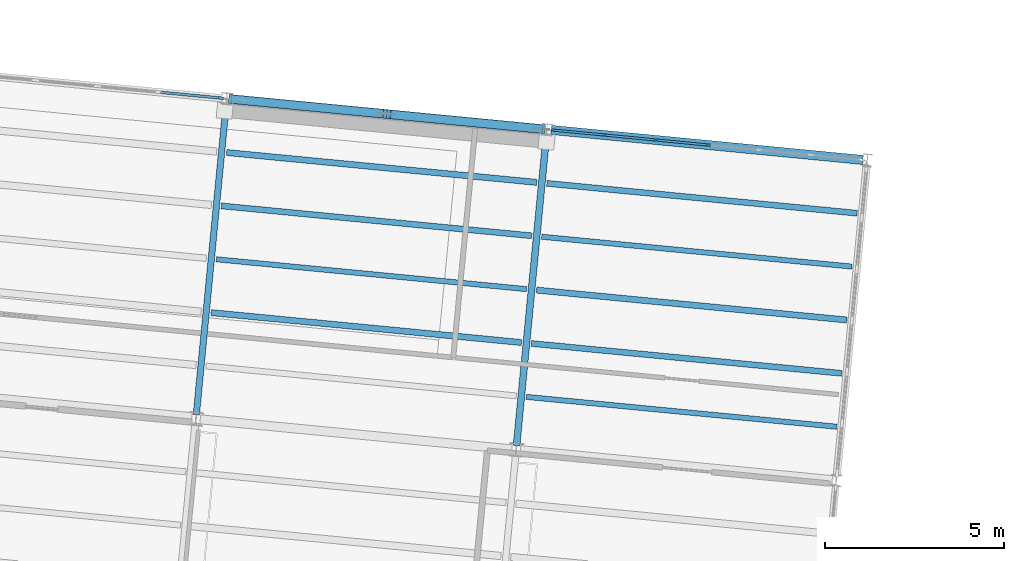
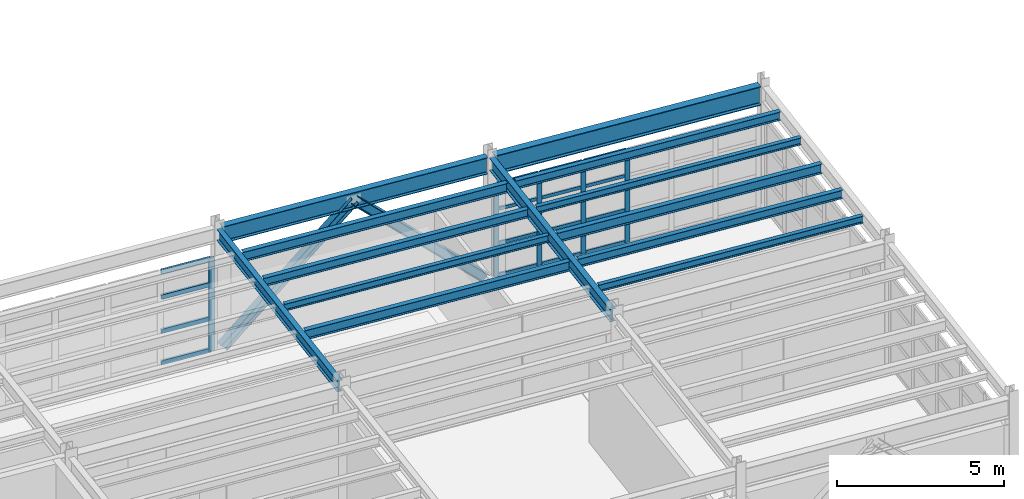
# One storey, part 47 of 102: 23 members, 13 beams, 2 elements without a shape of their own.
"""IFC4 building model written with IfcOpenShell, lengths in metres."""

from ifc_helpers import new_model, si_unit, direction, frame, origin, origin_2d, place, context, subcontext, project, spatial, rectangle, i_section, extrude, material, layer, layer_set, material_profile, profile_set, type_object, element, aggregate, save


model = new_model("IFC4")

# Units and contexts
model_context = context("Model", 3, precision=1e-05, world=origin(), true_north=direction((0.0, 1.0)))
body_context = subcontext(model_context, "Body", "Model", "MODEL_VIEW")
ifc_project = project(units=[si_unit("LENGTHUNIT", "METRE"), si_unit("AREAUNIT", "SQUARE_METRE"), si_unit("VOLUMEUNIT", "CUBIC_METRE"), si_unit("PLANEANGLEUNIT", "RADIAN"), si_unit("MASSUNIT", "GRAM", prefix="KILO")], contexts=[model_context])

# Site, building, storey
site_placement = place(None, origin())
site = spatial("IfcSite", under=ifc_project, at=site_placement, CompositionType="ELEMENT")
building_placement = place(site_placement, origin())
building = spatial("IfcBuilding", under=site, at=building_placement, Name="Vireo Bluff Cable Station", CompositionType="ELEMENT")
storey_placement = place(building_placement, frame((0.0, 0.0, 9.60009765625)))
storey = spatial("IfcBuildingStorey", under=building, at=storey_placement, Name="L02", CompositionType="ELEMENT", Elevation=9.60009765625)

# Beams
ifc_material_1 = material(Name="Steel ASTM A992 Gr. 50", Category="steel")
ifc_material_profile_1 = material_profile(ifc_material_1, i_section(OverallWidth=0.178955078125, OverallDepth=0.408935546875, WebThickness=0.0087890625, FlangeThickness=0.014404296875, FilletRadius=0.010009765625, at=origin_2d()), Name="W16X45")
ifc_profile_set_1 = profile_set([ifc_material_profile_1], Name="Steel ASTM A992 Gr. 50")
beam_type_1 = type_object("IfcBeamType", Name="BM-W16X45", PredefinedType="BEAM", material=ifc_profile_set_1)
beam_1_placement = place(storey_placement, frame((86.529296875, 74.356689453125, 4.29541015625), z_axis=(0.095844105487, 0.995396356957, 0.0), x_axis=(-0.995396356957, 0.095844105487, 0.0)))
element("IfcBeam", 1, at=beam_1_placement, inside=storey, type_object=beam_type_1, Name="V3 L02 beam 729", PredefinedType="BEAM", context=body_context, shape_type="SweptSolid", body=[
    extrude(i_section(OverallWidth=0.178955078125, OverallDepth=0.408935546875, WebThickness=0.0087890625, FlangeThickness=0.014404296875, FilletRadius=0.010009765625, at=origin_2d()), origin(), (0.0, 0.0, 1.0), 8.760009765625),
])
ifc_material_profile_2 = material_profile(ifc_material_1, i_section(OverallWidth=0.19091796875, OverallDepth=0.45703125, WebThickness=0.009033203125, FlangeThickness=0.014404296875, FilletRadius=0.011962890625, at=origin_2d()), Name="W18X50")
ifc_profile_set_2 = profile_set([ifc_material_profile_2], Name="Steel ASTM A992 Gr. 50")
beam_type_2 = type_object("IfcBeamType", Name="BM-W18X50", PredefinedType="BEAM", material=ifc_profile_set_2)
beam_2_placement = place(storey_placement, frame((95.48779296875, 73.494140625, 4.271484375), z_axis=(0.095846764416, 0.995396100932, 0.0), x_axis=(-0.995396100932, 0.095846764416, 0.0)))
element("IfcBeam", 2, at=beam_2_placement, inside=storey, type_object=beam_type_2, Name="V3 L02 beam 731", PredefinedType="BEAM", context=body_context, shape_type="SweptSolid", body=[
    extrude(i_section(OverallWidth=0.19091796875, OverallDepth=0.45703125, WebThickness=0.009033203125, FlangeThickness=0.014404296875, FilletRadius=0.011962890625, at=origin_2d()), origin(), (0.0, 0.0, 1.0), 8.759765625),
])

# Members
ifc_material_profile_3 = material_profile(ifc_material_1, i_section(OverallWidth=0.25390625, OverallDepth=0.305908203125, WebThickness=0.0087890625, FlangeThickness=0.0146484375, FilletRadius=0.010986328125, at=origin_2d()), Name="W12X53")
ifc_profile_set_3 = profile_set([ifc_material_profile_3], Name="Steel ASTM A992 Gr. 50")
member_type_1 = type_object("IfcMemberType", Name="BRC-04", PredefinedType="BRACE", material=ifc_profile_set_3)
member_1_placement = place(storey_placement, frame((87.539794921875, 83.180419921875, 0.039794921875), z_axis=(0.720224003124, -0.06936033126, 0.690265550185), x_axis=(0.095860332855, 0.995394794333, 0.0)))
element("IfcMember", 3, at=member_1_placement, inside=storey, type_object=member_type_1, Name="V3 L02 concentric brace 57L", PredefinedType="BRACE", context=body_context, shape_type="SweptSolid", body=[
    extrude(i_section(OverallWidth=0.25390625, OverallDepth=0.305908203125, WebThickness=0.0087890625, FlangeThickness=0.0146484375, FilletRadius=0.010986328125, at=origin_2d()), origin(), (0.0, 0.0, 1.0), 5.997802734375),
])
ifc_material_profile_4 = material_profile(ifc_material_1, i_section(OverallWidth=0.25390625, OverallDepth=0.31005859375, WebThickness=0.009033203125, FlangeThickness=0.016357421875, FilletRadius=0.010986328125, at=origin_2d()), Name="W12X58")
ifc_profile_set_4 = profile_set([ifc_material_profile_4], Name="Steel ASTM A992 Gr. 50")
member_type_2 = type_object("IfcMemberType", Name="BRC-05", PredefinedType="BRACE", material=ifc_profile_set_4)
member_2_placement = place(storey_placement, frame((96.1796875, 82.348388671875, 0.039794921875), z_axis=(-0.720243592379, 0.069358297904, 0.690245314471), x_axis=(-0.095854965264, -0.995395311238, 0.0)))
element("IfcMember", 4, at=member_2_placement, inside=storey, type_object=member_type_2, Name="V3 L02 concentric brace 58R", PredefinedType="BRACE", context=body_context, shape_type="SweptSolid", body=[
    extrude(i_section(OverallWidth=0.25390625, OverallDepth=0.31005859375, WebThickness=0.009033203125, FlangeThickness=0.016357421875, FilletRadius=0.010986328125, at=origin_2d()), origin(), (0.0, 0.0, 1.0), 5.998046875),
])

# Curtain wall, member
ifc_material_2 = material(Name="Anodized Aluminium 6063-T6", Category="aluminium")
ifc_layer_1 = layer(ifc_material_2, 0.179931640625, Name="Anodized Aluminium 6063-T6")
ifc_layer_set_1 = layer_set([ifc_layer_1], Name="Anodized Aluminium 6063-T6")
curtain_wall_type_1 = type_object("IfcCurtainWallType", Name="CW-UNIT-1650", PredefinedType="USERDEFINED", material=ifc_layer_set_1)
curtain_wall_1_placement = place(storey_placement, origin())
curtain_wall_1 = element("IfcCurtainWall", 5, at=curtain_wall_1_placement, inside=storey, type_object=curtain_wall_type_1, Name="V3 L02 north curtain wall CW-077", ObjectType="UNITISED CURTAIN WALL", PredefinedType="USERDEFINED")
ifc_material_profile_5 = material_profile(ifc_material_2, rectangle(XDim=0.074951171875, YDim=0.2099609375, at=origin_2d()), Name="ALU-M-75X210")
ifc_profile_set_5 = profile_set([ifc_material_profile_5], Name="Anodized Aluminium 6063-T6")
member_type_3 = type_object("IfcMemberType", Name="CWM-02", PredefinedType="MULLION", material=ifc_profile_set_5)
member_3_placement = place(storey_placement, frame((87.187255859375, 83.21435546875, 0.0), z_axis=(0.0, 0.0, 1.0), x_axis=(0.09584571119, 0.995396202347, 0.0)))
member_3 = element("IfcMember", 6, at=member_3_placement, type_object=member_type_3, Name="CW-077 mullion 6", PredefinedType="MULLION", context=body_context, shape_type="SweptSolid", body=[
    extrude(rectangle(XDim=0.074951171875, YDim=0.2099609375, at=origin_2d()), origin(), (0.0, 0.0, 1.0), 3.39990234375),
])

# Curtain wall, members
ifc_layer_2 = layer(ifc_material_2, 0.179931640625, Name="Anodized Aluminium 6063-T6")
ifc_layer_set_2 = layer_set([ifc_layer_2], Name="Anodized Aluminium 6063-T6")
curtain_wall_type_2 = type_object("IfcCurtainWallType", Name="CW-UNIT-1400", PredefinedType="USERDEFINED", material=ifc_layer_set_2)
curtain_wall_2_placement = place(storey_placement, origin())
curtain_wall_2 = element("IfcCurtainWall", 7, at=curtain_wall_2_placement, inside=storey, type_object=curtain_wall_type_2, Name="V3 L02 north curtain wall CW-078", ObjectType="UNITISED CURTAIN WALL", PredefinedType="USERDEFINED")
ifc_material_profile_6 = material_profile(ifc_material_2, rectangle(XDim=0.06005859375, YDim=0.159912109375, at=origin_2d()), Name="ALU-M-60X160")
ifc_profile_set_6 = profile_set([ifc_material_profile_6], Name="Anodized Aluminium 6063-T6")
member_type_4 = type_object("IfcMemberType", Name="CWM-03", PredefinedType="MULLION", material=ifc_profile_set_6)
member_4_placement = place(storey_placement, frame((96.526611328125, 82.315185546875, 0.0), z_axis=(0.0, 0.0, 1.0), x_axis=(0.095845743156, 0.995396199269, 0.0)))
member_4 = element("IfcMember", 8, at=member_4_placement, type_object=member_type_4, Name="CW-078 mullion 1", PredefinedType="MULLION", context=body_context, shape_type="SweptSolid", body=[
    extrude(rectangle(XDim=0.06005859375, YDim=0.159912109375, at=origin_2d()), origin(), (0.0, 0.0, 1.0), 3.39990234375),
])
member_5_placement = place(storey_placement, frame((97.942138671875, 82.1787109375, 0.0), z_axis=(0.0, 0.0, 1.0), x_axis=(0.095845743156, 0.995396199269, 0.0)))
member_5 = element("IfcMember", 9, at=member_5_placement, type_object=member_type_4, Name="CW-078 mullion 2", PredefinedType="MULLION", context=body_context, shape_type="SweptSolid", body=[
    extrude(rectangle(XDim=0.06005859375, YDim=0.159912109375, at=origin_2d()), origin(), (0.0, 0.0, 1.0), 3.39990234375),
])
member_6_placement = place(storey_placement, frame((99.3876953125, 82.03955078125, 0.0), z_axis=(0.0, 0.0, 1.0), x_axis=(0.095845743156, 0.995396199269, 0.0)))
member_6 = element("IfcMember", 10, at=member_6_placement, type_object=member_type_4, Name="CW-078 mullion 3", PredefinedType="MULLION", context=body_context, shape_type="SweptSolid", body=[
    extrude(rectangle(XDim=0.06005859375, YDim=0.159912109375, at=origin_2d()), origin(), (0.0, 0.0, 1.0), 3.39990234375),
])
member_7_placement = place(storey_placement, frame((100.8330078125, 81.900390625, 0.0), z_axis=(0.0, 0.0, 1.0), x_axis=(0.095845743156, 0.995396199269, 0.0)))
member_7 = element("IfcMember", 11, at=member_7_placement, type_object=member_type_4, Name="CW-078 mullion 4", PredefinedType="MULLION", context=body_context, shape_type="SweptSolid", body=[
    extrude(rectangle(XDim=0.06005859375, YDim=0.159912109375, at=origin_2d()), origin(), (0.0, 0.0, 1.0), 3.39990234375),
])

# Member
ifc_material_profile_7 = material_profile(ifc_material_2, rectangle(XDim=0.074951171875, YDim=0.159912109375, at=origin_2d()), Name="ALU-T-75X160")
ifc_profile_set_7 = profile_set([ifc_material_profile_7], Name="Anodized Aluminium 6063-T6")
member_type_5 = type_object("IfcMemberType", Name="CWT-02", PredefinedType="USERDEFINED", material=ifc_profile_set_7)
member_8_placement = place(storey_placement, frame((85.532958984375, 83.373779296875, 0.037353515625), z_axis=(0.995392216614, -0.095887095606, 0.0), x_axis=(0.095887095606, 0.995392216614, 0.0)))
member_8 = element("IfcMember", 12, at=member_8_placement, type_object=member_type_5, Name="CW-077 transom 5.1", ObjectType="TRANSOM", PredefinedType="USERDEFINED", context=body_context, shape_type="SweptSolid", body=[
    extrude(rectangle(XDim=0.074951171875, YDim=0.159912109375, at=origin_2d()), origin(), (0.0, 0.0, 1.0), 1.62451171875),
])

member_9_placement = place(storey_placement, frame((85.532958984375, 83.373779296875, 1.18994140625), z_axis=(0.995392216614, -0.095887095606, 0.0), x_axis=(0.095887095606, 0.995392216614, 0.0)))
member_9 = element("IfcMember", 13, at=member_9_placement, type_object=member_type_5, Name="CW-077 transom 5.2", ObjectType="TRANSOM", PredefinedType="USERDEFINED", context=body_context, shape_type="SweptSolid", body=[
    extrude(rectangle(XDim=0.074951171875, YDim=0.159912109375, at=origin_2d()), origin(), (0.0, 0.0, 1.0), 1.62451171875),
])

member_10_placement = place(storey_placement, frame((85.532958984375, 83.373779296875, 2.447998046875), z_axis=(0.995392216614, -0.095887095606, 0.0), x_axis=(0.095887095606, 0.995392216614, 0.0)))
member_10 = element("IfcMember", 14, at=member_10_placement, type_object=member_type_5, Name="CW-077 transom 5.3", ObjectType="TRANSOM", PredefinedType="USERDEFINED", context=body_context, shape_type="SweptSolid", body=[
    extrude(rectangle(XDim=0.074951171875, YDim=0.159912109375, at=origin_2d()), origin(), (0.0, 0.0, 1.0), 1.62451171875),
])

member_11_placement = place(storey_placement, frame((85.532958984375, 83.373779296875, 3.3623046875), z_axis=(0.995392216614, -0.095887095606, 0.0), x_axis=(0.095887095606, 0.995392216614, 0.0)))
member_11 = element("IfcMember", 15, at=member_11_placement, type_object=member_type_5, Name="CW-077 transom 5.4", ObjectType="TRANSOM", PredefinedType="USERDEFINED", context=body_context, shape_type="SweptSolid", body=[
    extrude(rectangle(XDim=0.074951171875, YDim=0.159912109375, at=origin_2d()), origin(), (0.0, 0.0, 1.0), 1.62451171875),
])

aggregate(curtain_wall_1, [member_3, member_8, member_9, member_10, member_11])

ifc_material_profile_8 = material_profile(ifc_material_2, rectangle(XDim=0.06005859375, YDim=0.1201171875, at=origin_2d()), Name="ALU-T-60X120")
ifc_profile_set_8 = profile_set([ifc_material_profile_8], Name="Anodized Aluminium 6063-T6")
member_type_6 = type_object("IfcMemberType", Name="CWT-03", PredefinedType="USERDEFINED", material=ifc_profile_set_8)
member_12_placement = place(storey_placement, frame((96.556396484375, 82.312255859375, 0.02978515625), z_axis=(0.995392596276, -0.095883154305, 0.0), x_axis=(0.095883154305, 0.995392596276, 0.0)))
member_12 = element("IfcMember", 16, at=member_12_placement, type_object=member_type_6, Name="CW-078 transom 1.1", ObjectType="TRANSOM", PredefinedType="USERDEFINED", context=body_context, shape_type="SweptSolid", body=[
    extrude(rectangle(XDim=0.06005859375, YDim=0.1201171875, at=origin_2d()), origin(), (0.0, 0.0, 1.0), 1.3623046875),
])

member_13_placement = place(storey_placement, frame((96.556396484375, 82.312255859375, 1.18994140625), z_axis=(0.995392596276, -0.095883154305, 0.0), x_axis=(0.095883154305, 0.995392596276, 0.0)))
member_13 = element("IfcMember", 17, at=member_13_placement, type_object=member_type_6, Name="CW-078 transom 1.2", ObjectType="TRANSOM", PredefinedType="USERDEFINED", context=body_context, shape_type="SweptSolid", body=[
    extrude(rectangle(XDim=0.06005859375, YDim=0.1201171875, at=origin_2d()), origin(), (0.0, 0.0, 1.0), 1.3623046875),
])

member_14_placement = place(storey_placement, frame((96.556396484375, 82.312255859375, 2.447998046875), z_axis=(0.995392596276, -0.095883154305, 0.0), x_axis=(0.095883154305, 0.995392596276, 0.0)))
member_14 = element("IfcMember", 18, at=member_14_placement, type_object=member_type_6, Name="CW-078 transom 1.3", ObjectType="TRANSOM", PredefinedType="USERDEFINED", context=body_context, shape_type="SweptSolid", body=[
    extrude(rectangle(XDim=0.06005859375, YDim=0.1201171875, at=origin_2d()), origin(), (0.0, 0.0, 1.0), 1.3623046875),
])

member_15_placement = place(storey_placement, frame((96.556396484375, 82.312255859375, 3.369873046875), z_axis=(0.995392596276, -0.095883154305, 0.0), x_axis=(0.095883154305, 0.995392596276, 0.0)))
member_15 = element("IfcMember", 19, at=member_15_placement, type_object=member_type_6, Name="CW-078 transom 1.4", ObjectType="TRANSOM", PredefinedType="USERDEFINED", context=body_context, shape_type="SweptSolid", body=[
    extrude(rectangle(XDim=0.06005859375, YDim=0.1201171875, at=origin_2d()), origin(), (0.0, 0.0, 1.0), 1.3623046875),
])

member_16_placement = place(storey_placement, frame((97.971923828125, 82.176025390625, 0.02978515625), z_axis=(0.995388442645, -0.095926264645, 0.0), x_axis=(0.095926264645, 0.995388442645, 0.0)))
member_16 = element("IfcMember", 20, at=member_16_placement, type_object=member_type_6, Name="CW-078 transom 2.1", ObjectType="TRANSOM", PredefinedType="USERDEFINED", context=body_context, shape_type="SweptSolid", body=[
    extrude(rectangle(XDim=0.06005859375, YDim=0.1201171875, at=origin_2d()), origin(), (0.0, 0.0, 1.0), 1.39208984375),
])

member_17_placement = place(storey_placement, frame((97.971923828125, 82.176025390625, 1.18994140625), z_axis=(0.995388442645, -0.095926264645, 0.0), x_axis=(0.095926264645, 0.995388442645, 0.0)))
member_17 = element("IfcMember", 21, at=member_17_placement, type_object=member_type_6, Name="CW-078 transom 2.2", ObjectType="TRANSOM", PredefinedType="USERDEFINED", context=body_context, shape_type="SweptSolid", body=[
    extrude(rectangle(XDim=0.06005859375, YDim=0.1201171875, at=origin_2d()), origin(), (0.0, 0.0, 1.0), 1.39208984375),
])

member_18_placement = place(storey_placement, frame((97.971923828125, 82.176025390625, 2.447998046875), z_axis=(0.995388442645, -0.095926264645, 0.0), x_axis=(0.095926264645, 0.995388442645, 0.0)))
member_18 = element("IfcMember", 22, at=member_18_placement, type_object=member_type_6, Name="CW-078 transom 2.3", ObjectType="TRANSOM", PredefinedType="USERDEFINED", context=body_context, shape_type="SweptSolid", body=[
    extrude(rectangle(XDim=0.06005859375, YDim=0.1201171875, at=origin_2d()), origin(), (0.0, 0.0, 1.0), 1.39208984375),
])

member_19_placement = place(storey_placement, frame((97.971923828125, 82.176025390625, 3.369873046875), z_axis=(0.995388442645, -0.095926264645, 0.0), x_axis=(0.095926264645, 0.995388442645, 0.0)))
member_19 = element("IfcMember", 23, at=member_19_placement, type_object=member_type_6, Name="CW-078 transom 2.4", ObjectType="TRANSOM", PredefinedType="USERDEFINED", context=body_context, shape_type="SweptSolid", body=[
    extrude(rectangle(XDim=0.06005859375, YDim=0.1201171875, at=origin_2d()), origin(), (0.0, 0.0, 1.0), 1.39208984375),
])

member_20_placement = place(storey_placement, frame((99.41748046875, 82.036865234375, 0.02978515625), z_axis=(0.995388442645, -0.095926264645, 0.0), x_axis=(0.095926264645, 0.995388442645, 0.0)))
member_20 = element("IfcMember", 24, at=member_20_placement, type_object=member_type_6, Name="CW-078 transom 3.1", ObjectType="TRANSOM", PredefinedType="USERDEFINED", context=body_context, shape_type="SweptSolid", body=[
    extrude(rectangle(XDim=0.06005859375, YDim=0.1201171875, at=origin_2d()), origin(), (0.0, 0.0, 1.0), 1.39208984375),
])

member_21_placement = place(storey_placement, frame((99.41748046875, 82.036865234375, 1.18994140625), z_axis=(0.995388442645, -0.095926264645, 0.0), x_axis=(0.095926264645, 0.995388442645, 0.0)))
member_21 = element("IfcMember", 25, at=member_21_placement, type_object=member_type_6, Name="CW-078 transom 3.2", ObjectType="TRANSOM", PredefinedType="USERDEFINED", context=body_context, shape_type="SweptSolid", body=[
    extrude(rectangle(XDim=0.06005859375, YDim=0.1201171875, at=origin_2d()), origin(), (0.0, 0.0, 1.0), 1.39208984375),
])

member_22_placement = place(storey_placement, frame((99.41748046875, 82.036865234375, 2.447998046875), z_axis=(0.995388442645, -0.095926264645, 0.0), x_axis=(0.095926264645, 0.995388442645, 0.0)))
member_22 = element("IfcMember", 26, at=member_22_placement, type_object=member_type_6, Name="CW-078 transom 3.3", ObjectType="TRANSOM", PredefinedType="USERDEFINED", context=body_context, shape_type="SweptSolid", body=[
    extrude(rectangle(XDim=0.06005859375, YDim=0.1201171875, at=origin_2d()), origin(), (0.0, 0.0, 1.0), 1.39208984375),
])

member_23_placement = place(storey_placement, frame((99.41748046875, 82.036865234375, 3.369873046875), z_axis=(0.995388442645, -0.095926264645, 0.0), x_axis=(0.095926264645, 0.995388442645, 0.0)))
member_23 = element("IfcMember", 27, at=member_23_placement, type_object=member_type_6, Name="CW-078 transom 3.4", ObjectType="TRANSOM", PredefinedType="USERDEFINED", context=body_context, shape_type="SweptSolid", body=[
    extrude(rectangle(XDim=0.06005859375, YDim=0.1201171875, at=origin_2d()), origin(), (0.0, 0.0, 1.0), 1.39208984375),
])

aggregate(curtain_wall_2, [member_4, member_5, member_6, member_7, member_12, member_13, member_14, member_15, member_16, member_17, member_18, member_19, member_20, member_21, member_22, member_23])

# Beams
ifc_material_profile_9 = material_profile(ifc_material_1, i_section(OverallWidth=0.14599609375, OverallDepth=0.259033203125, WebThickness=0.006103515625, FlangeThickness=0.009033203125, FilletRadius=0.009033203125, at=origin_2d()), Name="W10X22")
ifc_profile_set_9 = profile_set([ifc_material_profile_9], Name="Steel ASTM A992 Gr. 50")
beam_type_3 = type_object("IfcBeamType", Name="JST-W10X22", PredefinedType="JOIST", material=ifc_profile_set_9)
for number, where, z_axis, x_axis, name in (
    (28, (87.08837890625, 78.703125, 4.370361328125), (0.995397172011, -0.095835640306, 0.0), (0.095835640306, 0.995397172011, 0.0), "V3 L02 composite joist 753"),
    (29, (95.759521484375, 74.854248046875, 4.370361328125), (0.995397172011, -0.095835640306, 0.0), (0.095835640306, 0.995397172011, 0.0), "V3 L02 composite joist 761"),
):
    element("IfcBeam", number, at=place(storey_placement, frame(where, z_axis=z_axis, x_axis=x_axis)), inside=storey, type_object=beam_type_3, Name=name, PredefinedType="JOIST", context=body_context, shape_type="SweptSolid", body=[
        extrude(i_section(OverallWidth=0.14599609375, OverallDepth=0.259033203125, WebThickness=0.006103515625, FlangeThickness=0.009033203125, FilletRadius=0.009033203125, at=origin_2d()), origin(), (0.0, 0.0, 1.0), 8.719970703125),
    ])
beam_3_placement = place(storey_placement, frame((96.19091796875, 79.33349609375, 4.370361328125), z_axis=(0.995396914857, -0.095838311194, 0.0), x_axis=(0.095838311194, 0.995396914857, 0.0)))
element("IfcBeam", 30, at=beam_3_placement, inside=storey, type_object=beam_type_3, Name="V3 L02 composite joist 764", PredefinedType="JOIST", context=body_context, shape_type="SweptSolid", body=[
    extrude(i_section(OverallWidth=0.14599609375, OverallDepth=0.259033203125, WebThickness=0.006103515625, FlangeThickness=0.009033203125, FilletRadius=0.009033203125, at=origin_2d()), origin(), (0.0, 0.0, 1.0), 8.7197265625),
])
ifc_material_profile_10 = material_profile(ifc_material_1, i_section(OverallWidth=0.1650390625, OverallDepth=0.31005859375, WebThickness=0.005859375, FlangeThickness=0.009765625, FilletRadius=0.010009765625, at=origin_2d()), Name="W12X26")
ifc_profile_set_10 = profile_set([ifc_material_profile_10], Name="Steel ASTM A992 Gr. 50")
beam_type_4 = type_object("IfcBeamType", Name="JST-W12X26", PredefinedType="JOIST", material=ifc_profile_set_10)
for number, where, z_axis, x_axis, name in (
    (31, (87.232177734375, 80.1962890625, 4.344970703125), (0.995394500818, -0.095863380609, 0.0), (0.095863380609, 0.995394500818, 0.0), "V3 L02 composite joist 754"),
    (32, (95.9033203125, 76.347412109375, 4.344970703125), (0.995397172011, -0.095835640306, 0.0), (0.095835640306, 0.995397172011, 0.0), "V3 L02 composite joist 762"),
):
    element("IfcBeam", number, at=place(storey_placement, frame(where, z_axis=z_axis, x_axis=x_axis)), inside=storey, type_object=beam_type_4, Name=name, PredefinedType="JOIST", context=body_context, shape_type="SweptSolid", body=[
        extrude(i_section(OverallWidth=0.1650390625, OverallDepth=0.31005859375, WebThickness=0.005859375, FlangeThickness=0.009765625, FilletRadius=0.010009765625, at=origin_2d()), origin(), (0.0, 0.0, 1.0), 8.719970703125),
    ])
beam_4_placement = place(storey_placement, frame((96.334716796875, 80.82666015625, 4.344970703125), z_axis=(0.995396914857, -0.095838311194, 0.0), x_axis=(0.095838311194, 0.995396914857, 0.0)))
element("IfcBeam", 33, at=beam_4_placement, inside=storey, type_object=beam_type_4, Name="V3 L02 composite joist 765", PredefinedType="JOIST", context=body_context, shape_type="SweptSolid", body=[
    extrude(i_section(OverallWidth=0.1650390625, OverallDepth=0.31005859375, WebThickness=0.005859375, FlangeThickness=0.009765625, FilletRadius=0.010009765625, at=origin_2d()), origin(), (0.0, 0.0, 1.0), 8.7197265625),
])
ifc_material_profile_11 = material_profile(ifc_material_1, i_section(OverallWidth=0.1708984375, OverallDepth=0.35107421875, WebThickness=0.0068359375, FlangeThickness=0.009765625, FilletRadius=0.010009765625, at=origin_2d()), Name="W14X30")
ifc_profile_set_11 = profile_set([ifc_material_profile_11], Name="Steel ASTM A992 Gr. 50")
beam_type_5 = type_object("IfcBeamType", Name="JST-W14X30", PredefinedType="JOIST", material=ifc_profile_set_11)
beam_5_placement = place(storey_placement, frame((86.94482421875, 77.2099609375, 4.324462890625), z_axis=(0.995396914857, -0.095838311194, 0.0), x_axis=(0.095838311194, 0.995396914857, 0.0)))
element("IfcBeam", 34, at=beam_5_placement, inside=storey, type_object=beam_type_5, Name="V3 L02 composite joist 752", PredefinedType="JOIST", context=body_context, shape_type="SweptSolid", body=[
    extrude(i_section(OverallWidth=0.1708984375, OverallDepth=0.35107421875, WebThickness=0.0068359375, FlangeThickness=0.009765625, FilletRadius=0.010009765625, at=origin_2d()), origin(), (0.0, 0.0, 1.0), 8.7197265625),
])
for number, where, z_axis, x_axis, name in (
    (35, (87.3759765625, 81.689208984375, 4.324462890625), (0.995397172011, -0.095835640306, 0.0), (0.095835640306, 0.995397172011, 0.0), "V3 L02 composite joist 755"),
    (36, (96.047119140625, 77.840576171875, 4.324462890625), (0.995394243516, -0.095866052256, 0.0), (0.095866052256, 0.995394243516, 0.0), "V3 L02 composite joist 763"),
):
    element("IfcBeam", number, at=place(storey_placement, frame(where, z_axis=z_axis, x_axis=x_axis)), inside=storey, type_object=beam_type_5, Name=name, PredefinedType="JOIST", context=body_context, shape_type="SweptSolid", body=[
        extrude(i_section(OverallWidth=0.1708984375, OverallDepth=0.35107421875, WebThickness=0.0068359375, FlangeThickness=0.009765625, FilletRadius=0.010009765625, at=origin_2d()), origin(), (0.0, 0.0, 1.0), 8.719970703125),
    ])
ifc_material_profile_12 = material_profile(ifc_material_1, i_section(OverallWidth=0.22802734375, OverallDepth=0.60693359375, WebThickness=0.01123046875, FlangeThickness=0.017333984375, FilletRadius=0.012939453125, at=origin_2d()), Name="W24X76")
ifc_profile_set_12 = profile_set([ifc_material_profile_12], Name="Steel ASTM A992 Gr. 50")
beam_type_6 = type_object("IfcBeamType", Name="SPN-W24X76", PredefinedType="SPANDREL", material=ifc_profile_set_12)
beam_6_placement = place(storey_placement, frame((87.5, 83.184326171875, 4.1962890625), z_axis=(0.995396100932, -0.095846764416, 0.0), x_axis=(0.095846764416, 0.995396100932, 0.0)))
element("IfcBeam", 37, at=beam_6_placement, inside=storey, type_object=beam_type_6, Name="V3 L02 spandrel 722", PredefinedType="SPANDREL", context=body_context, shape_type="SweptSolid", body=[
    extrude(i_section(OverallWidth=0.22802734375, OverallDepth=0.60693359375, WebThickness=0.01123046875, FlangeThickness=0.017333984375, FilletRadius=0.012939453125, at=origin_2d()), origin(), (0.0, 0.0, 1.0), 8.759765625),
])
ifc_material_profile_13 = material_profile(ifc_material_1, i_section(OverallWidth=0.257080078125, OverallDepth=0.693115234375, WebThickness=0.014404296875, FlangeThickness=0.023681640625, FilletRadius=0.014892578125, at=origin_2d()), Name="W27X114")
ifc_profile_set_13 = profile_set([ifc_material_profile_13], Name="Steel ASTM A992 Gr. 50")
beam_type_7 = type_object("IfcBeamType", Name="SPN-W27X114", PredefinedType="SPANDREL", material=ifc_profile_set_13)
beam_7_placement = place(storey_placement, frame((96.45849609375, 82.32177734375, 4.1533203125), z_axis=(0.995396356957, -0.095844105487, 0.0), x_axis=(0.095844105487, 0.995396356957, 0.0)))
element("IfcBeam", 38, at=beam_7_placement, inside=storey, type_object=beam_type_7, Name="V3 L02 spandrel 723", PredefinedType="SPANDREL", context=body_context, shape_type="SweptSolid", body=[
    extrude(i_section(OverallWidth=0.257080078125, OverallDepth=0.693115234375, WebThickness=0.014404296875, FlangeThickness=0.023681640625, FilletRadius=0.014892578125, at=origin_2d()), origin(), (0.0, 0.0, 1.0), 8.760009765625),
])

save(model, "model.ifc")
